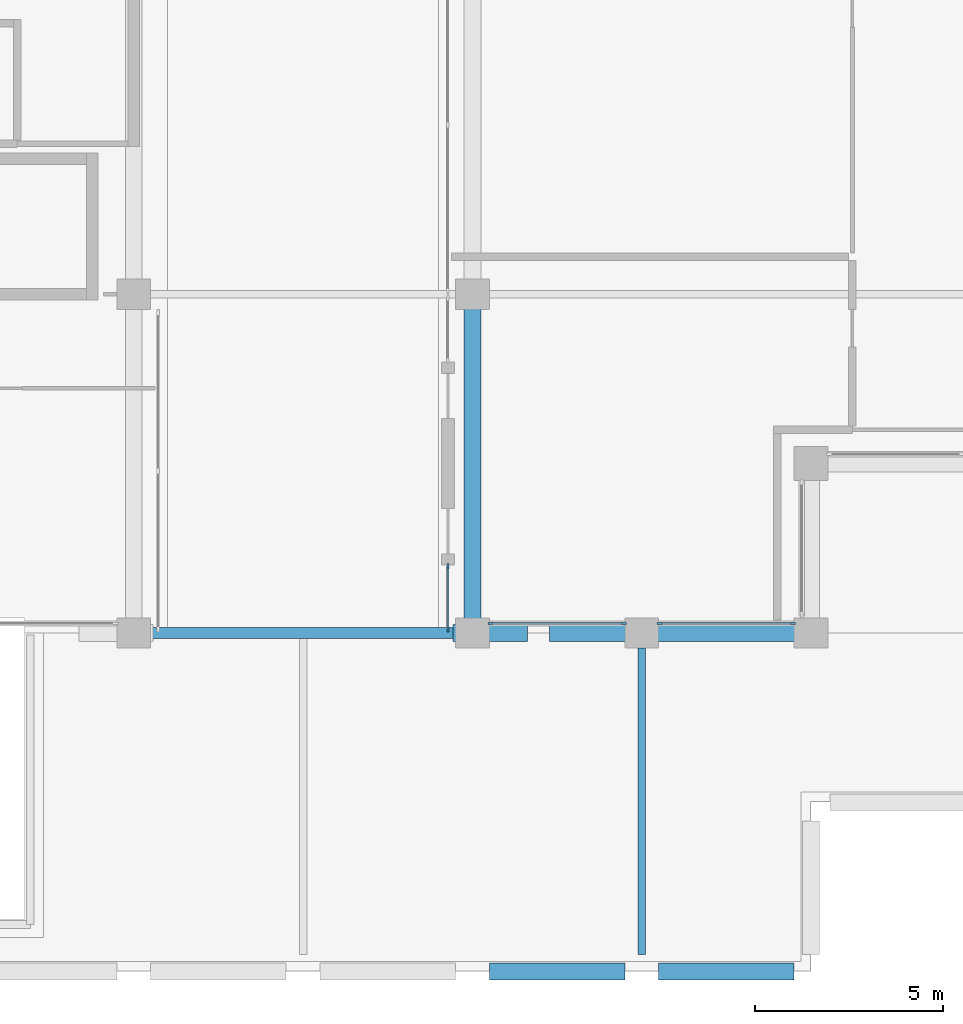
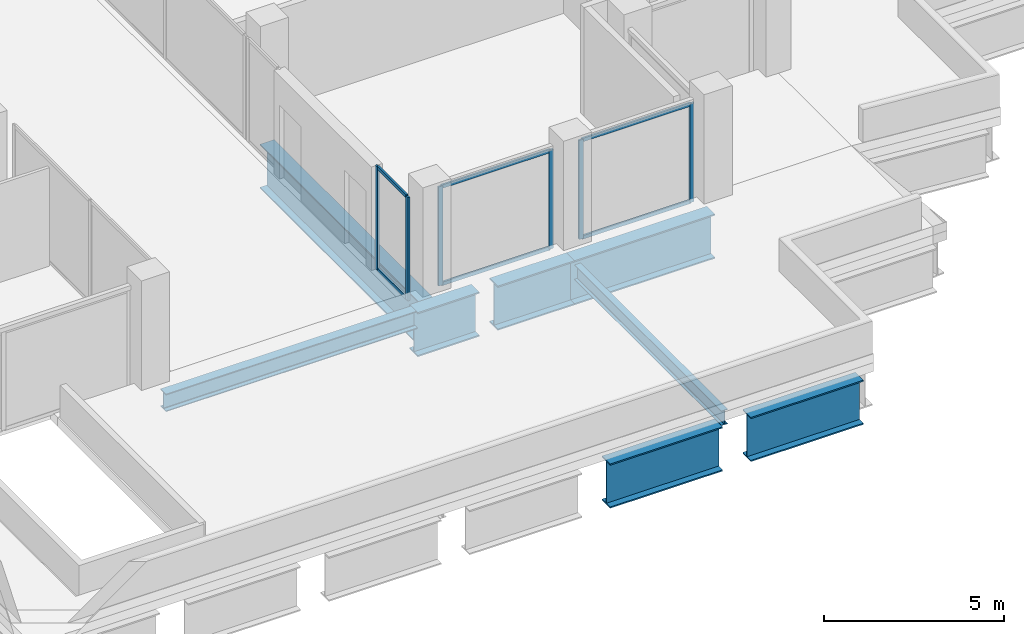
# One storey, part 3 of 14: 12 members, 8 beams, 3 elements without a shape of their own.
"""IFC4 building model written with IfcOpenShell, lengths in metres."""

from ifc_helpers import new_model, si_unit, direction, frame, origin, origin_2d, place, context, subcontext, project, spatial, rectangle, i_section, extrude, material, material_profile, profile_set, type_object, element, aggregate, save


model = new_model("IFC4")

# Units and contexts
model_context = context("Model", 3, precision=1e-05, world=origin(), true_north=direction((0.0, 1.0)))
body_context = subcontext(model_context, "Body", "Model", "MODEL_VIEW")
ifc_project = project(units=[si_unit("LENGTHUNIT", "METRE"), si_unit("AREAUNIT", "SQUARE_METRE"), si_unit("VOLUMEUNIT", "CUBIC_METRE"), si_unit("PLANEANGLEUNIT", "RADIAN"), si_unit("MASSUNIT", "GRAM", prefix="KILO")], contexts=[model_context])

# Site, building, storey
site_placement = place(None, origin())
site = spatial("IfcSite", under=ifc_project, at=site_placement, CompositionType="ELEMENT")
building_placement = place(site_placement, origin())
building = spatial("IfcBuilding", under=site, at=building_placement, Name="Brondeck Convention Tower", CompositionType="ELEMENT")
storey_placement = place(building_placement, frame((0.0, 0.0, 282.800048828125)))
storey = spatial("IfcBuildingStorey", under=building, at=storey_placement, Name="L70", CompositionType="ELEMENT", Elevation=282.800048828125)

# Curtain wall, members
ifc_material_1 = material(Name="Aluminium, bronze anodised", Category="aluminium")
curtain_wall_type = type_object("IfcCurtainWallType", Name="Crown screen curtain wall", PredefinedType="NOTDEFINED", material=ifc_material_1)
curtain_wall_1_placement = place(storey_placement, origin())
curtain_wall_1 = element("IfcCurtainWall", 1, at=curtain_wall_1_placement, inside=storey, type_object=curtain_wall_type, Name="ENV-CW4-L70-K2-SLOT-E-07-1b", PredefinedType="NOTDEFINED")
ifc_material_profile_1 = material_profile(ifc_material_1, rectangle(XDim=0.06005859375, YDim=0.139892578125, at=origin_2d()), Name="CW4 mullion")
ifc_profile_set_1 = profile_set([ifc_material_profile_1], Name="Aluminium, bronze anodised")
member_type_1 = type_object("IfcMemberType", Name="CW4 mullion", PredefinedType="MULLION", material=ifc_profile_set_1)
member_1_placement = place(storey_placement, frame((21.85009765625, 27.090087890625, 0.0), z_axis=(0.0, 0.0, 1.0), x_axis=(-1.0, 0.0, 0.0)))
member_1 = element("IfcMember", 2, at=member_1_placement, type_object=member_type_1, Name="CW4 mullion 1", PredefinedType="MULLION", context=body_context, shape_type="SweptSolid", body=[
    extrude(rectangle(XDim=0.06005859375, YDim=0.139892578125, at=origin_2d()), origin(), (0.0, 0.0, 1.0), 3.5),
])
member_2_placement = place(storey_placement, frame((21.85009765625, 28.77001953125, 0.0), z_axis=(0.0, 0.0, 1.0), x_axis=(-1.0, 0.0, 0.0)))
member_2 = element("IfcMember", 3, at=member_2_placement, type_object=member_type_1, Name="CW4 mullion 2", PredefinedType="MULLION", context=body_context, shape_type="SweptSolid", body=[
    extrude(rectangle(XDim=0.06005859375, YDim=0.139892578125, at=origin_2d()), origin(), (0.0, 0.0, 1.0), 3.5),
])

curtain_wall_2_placement = place(storey_placement, origin())
curtain_wall_2 = element("IfcCurtainWall", 4, at=curtain_wall_2_placement, inside=storey, type_object=curtain_wall_type, Name="ENV-CW4-L70-K2-K-S-00", PredefinedType="NOTDEFINED")
member_3_placement = place(storey_placement, frame((26.52001953125, 27.25, 0.0), z_axis=(0.0, 0.0, 1.0), x_axis=(0.0, -1.0, 0.0)))
member_3 = element("IfcMember", 5, at=member_3_placement, type_object=member_type_1, Name="CW4 mullion 1", PredefinedType="MULLION", context=body_context, shape_type="SweptSolid", body=[
    extrude(rectangle(XDim=0.06005859375, YDim=0.139892578125, at=origin_2d()), origin(), (0.0, 0.0, 1.0), 3.349853515625),
])
member_4_placement = place(storey_placement, frame((22.97998046875, 27.25, 0.0), z_axis=(0.0, 0.0, 1.0), x_axis=(0.0, -1.0, 0.0)))
member_4 = element("IfcMember", 6, at=member_4_placement, type_object=member_type_1, Name="CW4 mullion 2", PredefinedType="MULLION", context=body_context, shape_type="SweptSolid", body=[
    extrude(rectangle(XDim=0.06005859375, YDim=0.139892578125, at=origin_2d()), origin(), (0.0, 0.0, 1.0), 3.349853515625),
])

curtain_wall_3_placement = place(storey_placement, origin())
curtain_wall_3 = element("IfcCurtainWall", 7, at=curtain_wall_3_placement, inside=storey, type_object=curtain_wall_type, Name="ENV-CW4-L70-K2-K-S-01", PredefinedType="NOTDEFINED")
member_5_placement = place(storey_placement, frame((31.02001953125, 27.25, 0.0), z_axis=(0.0, 0.0, 1.0), x_axis=(0.0, -1.0, 0.0)))
member_5 = element("IfcMember", 8, at=member_5_placement, type_object=member_type_1, Name="CW4 mullion 1", PredefinedType="MULLION", context=body_context, shape_type="SweptSolid", body=[
    extrude(rectangle(XDim=0.06005859375, YDim=0.139892578125, at=origin_2d()), origin(), (0.0, 0.0, 1.0), 3.349853515625),
])
member_6_placement = place(storey_placement, frame((27.47998046875, 27.25, 0.0), z_axis=(0.0, 0.0, 1.0), x_axis=(0.0, -1.0, 0.0)))
member_6 = element("IfcMember", 9, at=member_6_placement, type_object=member_type_1, Name="CW4 mullion 2", PredefinedType="MULLION", context=body_context, shape_type="SweptSolid", body=[
    extrude(rectangle(XDim=0.06005859375, YDim=0.139892578125, at=origin_2d()), origin(), (0.0, 0.0, 1.0), 3.349853515625),
])

# Member
ifc_material_profile_2 = material_profile(ifc_material_1, rectangle(XDim=0.06005859375, YDim=0.1201171875, at=origin_2d()), Name="CW4 transom")
ifc_profile_set_2 = profile_set([ifc_material_profile_2], Name="Aluminium, bronze anodised")
member_type_2 = type_object("IfcMemberType", Name="CW4 transom", PredefinedType="USERDEFINED", material=ifc_profile_set_2)
member_7_placement = place(storey_placement, frame((21.85009765625, 27.1201171875, 0.030029296875), z_axis=(0.0, 1.0, 0.0), x_axis=(-1.0, 0.0, 0.0)))
member_7 = element("IfcMember", 10, at=member_7_placement, type_object=member_type_2, Name="CW4 transom 1.1", ObjectType="TRANSOM", PredefinedType="USERDEFINED", context=body_context, shape_type="SweptSolid", body=[
    extrude(rectangle(XDim=0.06005859375, YDim=0.1201171875, at=origin_2d()), origin(), (0.0, 0.0, 1.0), 1.619873046875),
])

member_8_placement = place(storey_placement, frame((21.85009765625, 27.1201171875, 3.469970703125), z_axis=(0.0, 1.0, 0.0), x_axis=(-1.0, 0.0, 0.0)))
member_8 = element("IfcMember", 11, at=member_8_placement, type_object=member_type_2, Name="CW4 transom 1.2", ObjectType="TRANSOM", PredefinedType="USERDEFINED", context=body_context, shape_type="SweptSolid", body=[
    extrude(rectangle(XDim=0.06005859375, YDim=0.1201171875, at=origin_2d()), origin(), (0.0, 0.0, 1.0), 1.619873046875),
])

aggregate(curtain_wall_1, [member_1, member_2, member_7, member_8])

member_9_placement = place(storey_placement, frame((26.489990234375, 27.25, 0.030029296875), z_axis=(-1.0, 0.0, 0.0), x_axis=(0.0, -1.0, 0.0)))
member_9 = element("IfcMember", 12, at=member_9_placement, type_object=member_type_2, Name="CW4 transom 1.1", ObjectType="TRANSOM", PredefinedType="USERDEFINED", context=body_context, shape_type="SweptSolid", body=[
    extrude(rectangle(XDim=0.06005859375, YDim=0.1201171875, at=origin_2d()), origin(), (0.0, 0.0, 1.0), 3.47998046875),
])

member_10_placement = place(storey_placement, frame((26.489990234375, 27.25, 3.320068359375), z_axis=(-1.0, 0.0, 0.0), x_axis=(0.0, -1.0, 0.0)))
member_10 = element("IfcMember", 13, at=member_10_placement, type_object=member_type_2, Name="CW4 transom 1.2", ObjectType="TRANSOM", PredefinedType="USERDEFINED", context=body_context, shape_type="SweptSolid", body=[
    extrude(rectangle(XDim=0.06005859375, YDim=0.1201171875, at=origin_2d()), origin(), (0.0, 0.0, 1.0), 3.47998046875),
])

aggregate(curtain_wall_2, [member_3, member_4, member_9, member_10])

member_11_placement = place(storey_placement, frame((30.989990234375, 27.25, 0.030029296875), z_axis=(-1.0, 0.0, 0.0), x_axis=(0.0, -1.0, 0.0)))
member_11 = element("IfcMember", 14, at=member_11_placement, type_object=member_type_2, Name="CW4 transom 1.1", ObjectType="TRANSOM", PredefinedType="USERDEFINED", context=body_context, shape_type="SweptSolid", body=[
    extrude(rectangle(XDim=0.06005859375, YDim=0.1201171875, at=origin_2d()), origin(), (0.0, 0.0, 1.0), 3.47998046875),
])

member_12_placement = place(storey_placement, frame((30.989990234375, 27.25, 3.320068359375), z_axis=(-1.0, 0.0, 0.0), x_axis=(0.0, -1.0, 0.0)))
member_12 = element("IfcMember", 15, at=member_12_placement, type_object=member_type_2, Name="CW4 transom 1.2", ObjectType="TRANSOM", PredefinedType="USERDEFINED", context=body_context, shape_type="SweptSolid", body=[
    extrude(rectangle(XDim=0.06005859375, YDim=0.1201171875, at=origin_2d()), origin(), (0.0, 0.0, 1.0), 3.47998046875),
])

aggregate(curtain_wall_3, [member_5, member_6, member_11, member_12])

# Beams
ifc_material_2 = material(Name="Steel S355", Category="steel")
ifc_material_profile_3 = material_profile(ifc_material_2, i_section(OverallWidth=0.199951171875, OverallDepth=0.5, WebThickness=0.01025390625, FlangeThickness=0.01611328125, FilletRadius=0.02099609375, at=origin_2d()), Name="IPE 500")
ifc_profile_set_3 = profile_set([ifc_material_profile_3], Name="Steel S355")
beam_type_1 = type_object("IfcBeamType", Name="Crown frame Floor beam IPE 500", PredefinedType="BEAM", material=ifc_profile_set_3)
beam_1_placement = place(storey_placement, frame((27.0, 18.449951171875, -0.550048828125), z_axis=(0.0, 1.0, 0.0), x_axis=(-1.0, 0.0, 0.0)))
element("IfcBeam", 16, at=beam_1_placement, inside=storey, type_object=beam_type_1, Name="STR-FB-L70-S4-B-002", PredefinedType="BEAM", context=body_context, shape_type="SweptSolid", body=[
    extrude(i_section(OverallWidth=0.199951171875, OverallDepth=0.5, WebThickness=0.01025390625, FlangeThickness=0.01611328125, FilletRadius=0.02099609375, at=origin_2d()), origin(), (0.0, 0.0, 1.0), 8.150146484375),
])
ifc_material_profile_4 = material_profile(ifc_material_2, i_section(OverallWidth=0.300048828125, OverallDepth=0.60009765625, WebThickness=0.015380859375, FlangeThickness=0.030029296875, FilletRadius=0.027099609375, at=origin_2d()), Name="HEB 600")
ifc_profile_set_4 = profile_set([ifc_material_profile_4], Name="Steel S355")
beam_type_2 = type_object("IfcBeamType", Name="Crown frame Girder HEB 600", PredefinedType="BEAM", material=ifc_profile_set_4)
beam_2_placement = place(storey_placement, frame((13.97998046875, 27.0, -0.60009765625), z_axis=(1.0, 0.0, 0.0), x_axis=(0.0, 1.0, 0.0)))
element("IfcBeam", 17, at=beam_2_placement, inside=storey, type_object=beam_type_2, Name="STR-GR-L70-S4-B-001", PredefinedType="BEAM", context=body_context, shape_type="SweptSolid", body=[
    extrude(i_section(OverallWidth=0.300048828125, OverallDepth=0.60009765625, WebThickness=0.015380859375, FlangeThickness=0.030029296875, FilletRadius=0.027099609375, at=origin_2d()), origin(), (0.0, 0.0, 1.0), 8.0400390625),
])
ifc_material_3 = material(Name="Steel S460", Category="steel")
ifc_material_profile_5 = material_profile(ifc_material_3, i_section(OverallWidth=0.449951171875, OverallDepth=1.5, WebThickness=0.02490234375, FlangeThickness=0.044921875, at=origin_2d()), Name="PG 1500x450")
ifc_profile_set_5 = profile_set([ifc_material_profile_5], Name="Steel S460")
beam_type_3 = type_object("IfcBeamType", Name="Crown frame Transfer girder PG 1500x450", PredefinedType="BEAM", material=ifc_profile_set_5)
beam_3_placement = place(storey_placement, frame((21.989990234375, 27.0, -1.050048828125), z_axis=(1.0, 0.0, 0.0), x_axis=(0.0, 1.0, 0.0)))
element("IfcBeam", 18, at=beam_3_placement, inside=storey, type_object=beam_type_3, Name="Crown transfer girder PG-L70K2-1", PredefinedType="BEAM", context=body_context, shape_type="SweptSolid", body=[
    extrude(i_section(OverallWidth=0.449951171875, OverallDepth=1.5, WebThickness=0.02490234375, FlangeThickness=0.044921875, at=origin_2d()), origin(), (0.0, 0.0, 1.0), 1.969970703125),
])
beam_4_placement = place(storey_placement, frame((24.550048828125, 27.0, -1.050048828125), z_axis=(1.0, 0.0, 0.0), x_axis=(0.0, 1.0, 0.0)))
element("IfcBeam", 19, at=beam_4_placement, inside=storey, type_object=beam_type_3, Name="Crown transfer girder PG-L70K2-2", PredefinedType="BEAM", context=body_context, shape_type="SweptSolid", body=[
    extrude(i_section(OverallWidth=0.449951171875, OverallDepth=1.5, WebThickness=0.02490234375, FlangeThickness=0.044921875, at=origin_2d()), origin(), (0.0, 0.0, 1.0), 2.449951171875),
])
beam_5_placement = place(storey_placement, frame((27.0, 27.0, -1.050048828125), z_axis=(1.0, 0.0, 0.0), x_axis=(0.0, 1.0, 0.0)))
element("IfcBeam", 20, at=beam_5_placement, inside=storey, type_object=beam_type_3, Name="Crown transfer girder PG-L70K2-3", PredefinedType="BEAM", context=body_context, shape_type="SweptSolid", body=[
    extrude(i_section(OverallWidth=0.449951171875, OverallDepth=1.5, WebThickness=0.02490234375, FlangeThickness=0.044921875, at=origin_2d()), origin(), (0.0, 0.0, 1.0), 4.5),
])
beam_6_placement = place(storey_placement, frame((22.5, 36.0, -1.050048828125), z_axis=(0.0, -1.0, 0.0), x_axis=(1.0, 0.0, 0.0)))
element("IfcBeam", 21, at=beam_6_placement, inside=storey, type_object=beam_type_3, Name="Crown transfer girder PG-L70K2-20", PredefinedType="BEAM", context=body_context, shape_type="SweptSolid", body=[
    extrude(i_section(OverallWidth=0.449951171875, OverallDepth=1.5, WebThickness=0.02490234375, FlangeThickness=0.044921875, at=origin_2d()), origin(), (0.0, 0.0, 1.0), 9.0),
])
for number, where, z_axis, x_axis, name in (
    (22, (31.050048828125, 18.0, -1.050048828125), (-1.0, 0.0, 0.0), (0.0, -1.0, 0.0), "Crown transfer girder PG-L70-S4-B-4"),
    (23, (26.550048828125, 18.0, -1.050048828125), (-1.0, 0.0, 0.0), (0.0, -1.0, 0.0), "Crown transfer girder PG-L70-S4-B-5"),
):
    element("IfcBeam", number, at=place(storey_placement, frame(where, z_axis=z_axis, x_axis=x_axis)), inside=storey, type_object=beam_type_3, Name=name, PredefinedType="BEAM", context=body_context, shape_type="SweptSolid", body=[
        extrude(i_section(OverallWidth=0.449951171875, OverallDepth=1.5, WebThickness=0.02490234375, FlangeThickness=0.044921875, at=origin_2d()), origin(), (0.0, 0.0, 1.0), 3.60009765625),
    ])

save(model, "model.ifc")
